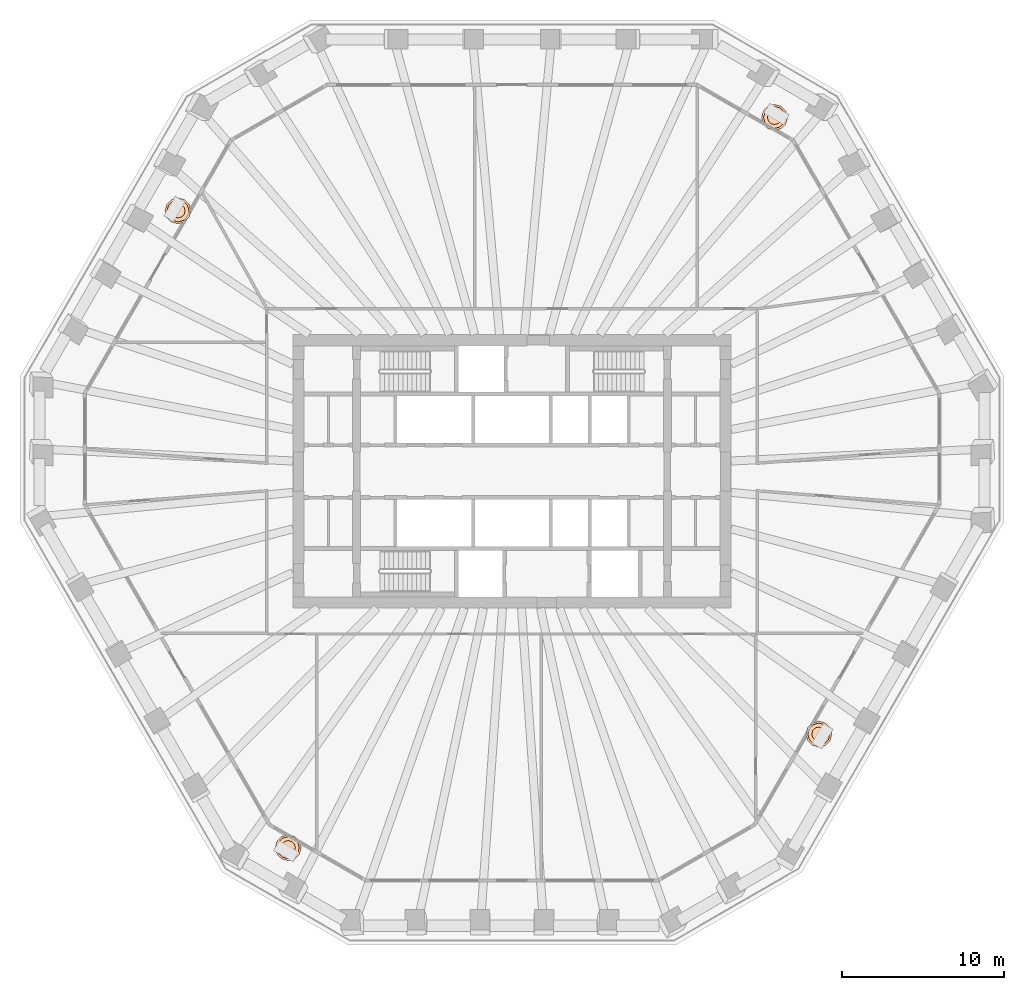
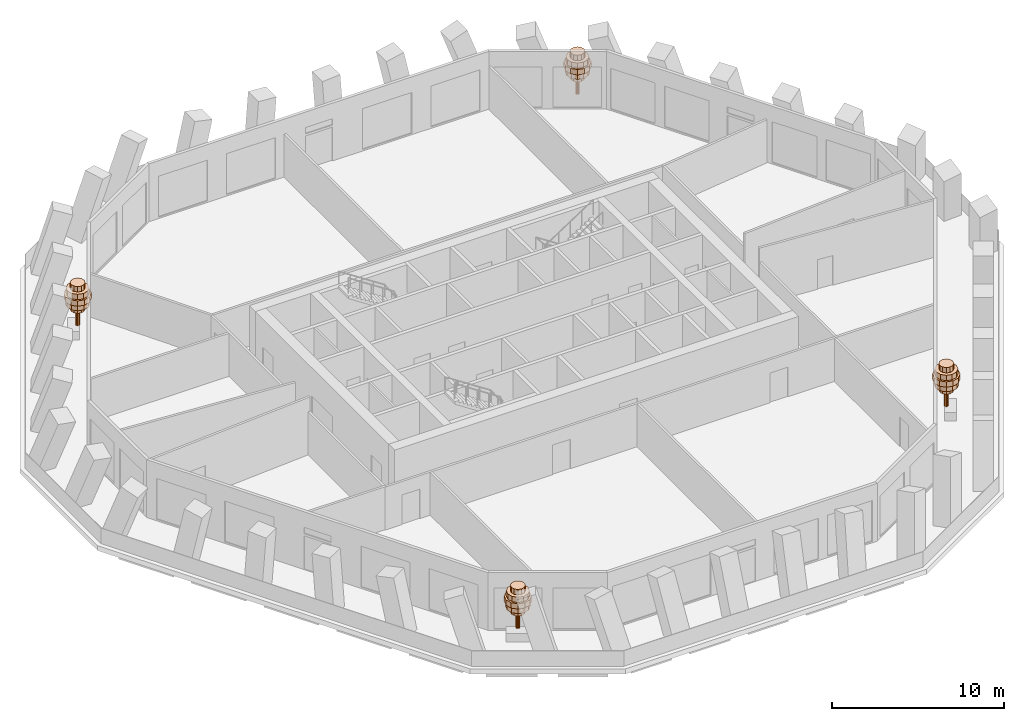
# One storey, part 11 of 11: 4 geographic elements.
"""IFC4 building model written with IfcOpenShell, lengths in metres."""

from ifc_helpers import new_model, si_unit, direction, frame, origin, place, context, subcontext, project, spatial, polyline, outline, extrude, material, type_object, element, save


model = new_model("IFC4")

# Units and contexts
model_context = context("Model", 3, precision=1e-05, world=origin(), true_north=direction((0.0, 1.0)))
body_context = subcontext(model_context, "Body", "Model", "MODEL_VIEW")
ifc_project = project(units=[si_unit("LENGTHUNIT", "METRE"), si_unit("AREAUNIT", "SQUARE_METRE"), si_unit("VOLUMEUNIT", "CUBIC_METRE"), si_unit("PLANEANGLEUNIT", "RADIAN"), si_unit("MASSUNIT", "GRAM", prefix="KILO")], contexts=[model_context])

# Site, building, storey
site_placement = place(None, origin())
site = spatial("IfcSite", under=ifc_project, at=site_placement, CompositionType="ELEMENT")
building_placement = place(site_placement, origin())
building = spatial("IfcBuilding", under=site, at=building_placement, Name="Frailejon Research Tower", CompositionType="ELEMENT")
storey_placement = place(building_placement, frame((0.0, 0.0, 198.0)))
storey = spatial("IfcBuildingStorey", under=building, at=storey_placement, Name="L43", CompositionType="ELEMENT", Elevation=198.0)

# Geographic elements
ifc_material = material(Name="Foliage, green")
geographic_element_type = type_object("IfcGeographicElementType", Name="Frailejon tree, loggia", PredefinedType="USERDEFINED", material=ifc_material)
geographic_element_1_placement = place(storey_placement, frame((16.22802734375, 21.878173828125, 0.60009765625)))
element("IfcGeographicElement", 1, at=geographic_element_1_placement, inside=storey, type_object=geographic_element_type, Name="Tree L43", ObjectType="TREE", PredefinedType="USERDEFINED", context=body_context, shape_type="SweptSolid", body=[
    extrude(outline(polyline([(0.1298828125, 0.0), (0.112548828125, 0.06494140625), (0.06494140625, 0.112548828125), (0.0, 0.1298828125), (-0.06494140625, 0.112548828125), (-0.112548828125, 0.06494140625), (-0.1298828125, 0.0), (-0.112548828125, -0.06494140625), (-0.06494140625, -0.112548828125), (0.0, -0.1298828125), (0.06494140625, -0.112548828125), (0.112548828125, -0.06494140625), (0.1298828125, 0.0)])), origin(), (0.0, 0.0, 1.0), 2.239990234375),
    extrude(outline(polyline([(0.43994140625, 0.0), (0.381103515625, 0.219970703125), (0.219970703125, 0.381103515625), (0.0, 0.43994140625), (-0.219970703125, 0.381103515625), (-0.381103515625, 0.219970703125), (-0.43994140625, 0.0), (-0.381103515625, -0.219970703125), (-0.219970703125, -0.381103515625), (0.0, -0.43994140625), (0.219970703125, -0.381103515625), (0.381103515625, -0.219970703125), (0.43994140625, 0.0)])), frame((0.0, 0.0, 1.10009765625)), (0.0, 0.0, 1.0), 0.3798828125),
    extrude(outline(polyline([(0.719970703125, 0.0), (0.62353515625, 0.360107421875), (0.360107421875, 0.62353515625), (0.0, 0.719970703125), (-0.360107421875, 0.62353515625), (-0.62353515625, 0.360107421875), (-0.719970703125, 0.0), (-0.62353515625, -0.360107421875), (-0.360107421875, -0.62353515625), (0.0, -0.719970703125), (0.360107421875, -0.62353515625), (0.62353515625, -0.360107421875), (0.719970703125, 0.0)])), frame((0.0, 0.0, 1.47998046875)), (0.0, 0.0, 1.0), 0.3798828125),
    extrude(outline(polyline([(0.800048828125, 0.0), (0.69287109375, 0.39990234375), (0.39990234375, 0.69287109375), (0.0, 0.800048828125), (-0.39990234375, 0.69287109375), (-0.69287109375, 0.39990234375), (-0.800048828125, 0.0), (-0.69287109375, -0.39990234375), (-0.39990234375, -0.69287109375), (0.0, -0.800048828125), (0.39990234375, -0.69287109375), (0.69287109375, -0.39990234375), (0.800048828125, 0.0)])), frame((0.0, 0.0, 1.860107421875)), (0.0, 0.0, 1.0), 0.3798828125),
    extrude(outline(polyline([(0.679931640625, 0.0), (0.5888671875, 0.340087890625), (0.340087890625, 0.5888671875), (0.0, 0.679931640625), (-0.340087890625, 0.5888671875), (-0.5888671875, 0.340087890625), (-0.679931640625, 0.0), (-0.5888671875, -0.340087890625), (-0.340087890625, -0.5888671875), (0.0, -0.679931640625), (0.340087890625, -0.5888671875), (0.5888671875, -0.340087890625), (0.679931640625, 0.0)])), frame((0.0, 0.0, 2.239990234375)), (0.0, 0.0, 1.0), 0.3798828125),
    extrude(outline(polyline([(0.43994140625, 0.0), (0.381103515625, 0.219970703125), (0.219970703125, 0.381103515625), (0.0, 0.43994140625), (-0.219970703125, 0.381103515625), (-0.381103515625, 0.219970703125), (-0.43994140625, 0.0), (-0.381103515625, -0.219970703125), (-0.219970703125, -0.381103515625), (0.0, -0.43994140625), (0.219970703125, -0.381103515625), (0.381103515625, -0.219970703125), (0.43994140625, 0.0)])), frame((0.0, 0.0, 2.6201171875)), (0.0, 0.0, 1.0), 0.3798828125),
])
geographic_element_2_placement = place(storey_placement, frame((-20.646728515625, 16.104248046875, 0.60009765625)))
element("IfcGeographicElement", 2, at=geographic_element_2_placement, inside=storey, type_object=geographic_element_type, Name="Tree L43", ObjectType="TREE", PredefinedType="USERDEFINED", context=body_context, shape_type="SweptSolid", body=[
    extrude(outline(polyline([(0.1298828125, 0.0), (0.112548828125, 0.06494140625), (0.06494140625, 0.112548828125), (0.0, 0.1298828125), (-0.06494140625, 0.112548828125), (-0.112548828125, 0.06494140625), (-0.1298828125, 0.0), (-0.112548828125, -0.06494140625), (-0.06494140625, -0.112548828125), (0.0, -0.1298828125), (0.06494140625, -0.112548828125), (0.112548828125, -0.06494140625), (0.1298828125, 0.0)])), origin(), (0.0, 0.0, 1.0), 2.239990234375),
    extrude(outline(polyline([(0.43994140625, 0.0), (0.381103515625, 0.219970703125), (0.219970703125, 0.381103515625), (0.0, 0.43994140625), (-0.219970703125, 0.381103515625), (-0.381103515625, 0.219970703125), (-0.43994140625, 0.0), (-0.381103515625, -0.219970703125), (-0.219970703125, -0.381103515625), (0.0, -0.43994140625), (0.219970703125, -0.381103515625), (0.381103515625, -0.219970703125), (0.43994140625, 0.0)])), frame((0.0, 0.0, 1.10009765625)), (0.0, 0.0, 1.0), 0.3798828125),
    extrude(outline(polyline([(0.719970703125, 0.0), (0.62353515625, 0.360107421875), (0.360107421875, 0.62353515625), (0.0, 0.719970703125), (-0.360107421875, 0.62353515625), (-0.62353515625, 0.360107421875), (-0.719970703125, 0.0), (-0.62353515625, -0.360107421875), (-0.360107421875, -0.62353515625), (0.0, -0.719970703125), (0.360107421875, -0.62353515625), (0.62353515625, -0.360107421875), (0.719970703125, 0.0)])), frame((0.0, 0.0, 1.47998046875)), (0.0, 0.0, 1.0), 0.3798828125),
    extrude(outline(polyline([(0.800048828125, 0.0), (0.69287109375, 0.39990234375), (0.39990234375, 0.69287109375), (0.0, 0.800048828125), (-0.39990234375, 0.69287109375), (-0.69287109375, 0.39990234375), (-0.800048828125, 0.0), (-0.69287109375, -0.39990234375), (-0.39990234375, -0.69287109375), (0.0, -0.800048828125), (0.39990234375, -0.69287109375), (0.69287109375, -0.39990234375), (0.800048828125, 0.0)])), frame((0.0, 0.0, 1.860107421875)), (0.0, 0.0, 1.0), 0.3798828125),
    extrude(outline(polyline([(0.679931640625, 0.0), (0.5888671875, 0.340087890625), (0.340087890625, 0.5888671875), (0.0, 0.679931640625), (-0.340087890625, 0.5888671875), (-0.5888671875, 0.340087890625), (-0.679931640625, 0.0), (-0.5888671875, -0.340087890625), (-0.340087890625, -0.5888671875), (0.0, -0.679931640625), (0.340087890625, -0.5888671875), (0.5888671875, -0.340087890625), (0.679931640625, 0.0)])), frame((0.0, 0.0, 2.239990234375)), (0.0, 0.0, 1.0), 0.3798828125),
    extrude(outline(polyline([(0.43994140625, 0.0), (0.381103515625, 0.219970703125), (0.219970703125, 0.381103515625), (0.0, 0.43994140625), (-0.219970703125, 0.381103515625), (-0.381103515625, 0.219970703125), (-0.43994140625, 0.0), (-0.381103515625, -0.219970703125), (-0.219970703125, -0.381103515625), (0.0, -0.43994140625), (0.219970703125, -0.381103515625), (0.381103515625, -0.219970703125), (0.43994140625, 0.0)])), frame((0.0, 0.0, 2.6201171875)), (0.0, 0.0, 1.0), 0.3798828125),
])
geographic_element_3_placement = place(storey_placement, frame((-13.8330078125, -23.260986328125, 0.60009765625)))
element("IfcGeographicElement", 3, at=geographic_element_3_placement, inside=storey, type_object=geographic_element_type, Name="Tree L43", ObjectType="TREE", PredefinedType="USERDEFINED", context=body_context, shape_type="SweptSolid", body=[
    extrude(outline(polyline([(0.1298828125, 0.0), (0.112548828125, 0.06494140625), (0.06494140625, 0.112548828125), (0.0, 0.1298828125), (-0.06494140625, 0.112548828125), (-0.112548828125, 0.06494140625), (-0.1298828125, 0.0), (-0.112548828125, -0.06494140625), (-0.06494140625, -0.112548828125), (0.0, -0.1298828125), (0.06494140625, -0.112548828125), (0.112548828125, -0.06494140625), (0.1298828125, 0.0)])), origin(), (0.0, 0.0, 1.0), 2.239990234375),
    extrude(outline(polyline([(0.43994140625, 0.0), (0.381103515625, 0.219970703125), (0.219970703125, 0.381103515625), (0.0, 0.43994140625), (-0.219970703125, 0.381103515625), (-0.381103515625, 0.219970703125), (-0.43994140625, 0.0), (-0.381103515625, -0.219970703125), (-0.219970703125, -0.381103515625), (0.0, -0.43994140625), (0.219970703125, -0.381103515625), (0.381103515625, -0.219970703125), (0.43994140625, 0.0)])), frame((0.0, 0.0, 1.10009765625)), (0.0, 0.0, 1.0), 0.3798828125),
    extrude(outline(polyline([(0.719970703125, 0.0), (0.62353515625, 0.360107421875), (0.360107421875, 0.62353515625), (0.0, 0.719970703125), (-0.360107421875, 0.62353515625), (-0.62353515625, 0.360107421875), (-0.719970703125, 0.0), (-0.62353515625, -0.360107421875), (-0.360107421875, -0.62353515625), (0.0, -0.719970703125), (0.360107421875, -0.62353515625), (0.62353515625, -0.360107421875), (0.719970703125, 0.0)])), frame((0.0, 0.0, 1.47998046875)), (0.0, 0.0, 1.0), 0.3798828125),
    extrude(outline(polyline([(0.800048828125, 0.0), (0.69287109375, 0.39990234375), (0.39990234375, 0.69287109375), (0.0, 0.800048828125), (-0.39990234375, 0.69287109375), (-0.69287109375, 0.39990234375), (-0.800048828125, 0.0), (-0.69287109375, -0.39990234375), (-0.39990234375, -0.69287109375), (0.0, -0.800048828125), (0.39990234375, -0.69287109375), (0.69287109375, -0.39990234375), (0.800048828125, 0.0)])), frame((0.0, 0.0, 1.860107421875)), (0.0, 0.0, 1.0), 0.3798828125),
    extrude(outline(polyline([(0.679931640625, 0.0), (0.5888671875, 0.340087890625), (0.340087890625, 0.5888671875), (0.0, 0.679931640625), (-0.340087890625, 0.5888671875), (-0.5888671875, 0.340087890625), (-0.679931640625, 0.0), (-0.5888671875, -0.340087890625), (-0.340087890625, -0.5888671875), (0.0, -0.679931640625), (0.340087890625, -0.5888671875), (0.5888671875, -0.340087890625), (0.679931640625, 0.0)])), frame((0.0, 0.0, 2.239990234375)), (0.0, 0.0, 1.0), 0.3798828125),
    extrude(outline(polyline([(0.43994140625, 0.0), (0.381103515625, 0.219970703125), (0.219970703125, 0.381103515625), (0.0, 0.43994140625), (-0.219970703125, 0.381103515625), (-0.381103515625, 0.219970703125), (-0.43994140625, 0.0), (-0.381103515625, -0.219970703125), (-0.219970703125, -0.381103515625), (0.0, -0.43994140625), (0.219970703125, -0.381103515625), (0.381103515625, -0.219970703125), (0.43994140625, 0.0)])), frame((0.0, 0.0, 2.6201171875)), (0.0, 0.0, 1.0), 0.3798828125),
])
geographic_element_4_placement = place(storey_placement, frame((18.97021484375, -16.242431640625, 0.60009765625)))
element("IfcGeographicElement", 4, at=geographic_element_4_placement, inside=storey, type_object=geographic_element_type, Name="Tree L43", ObjectType="TREE", PredefinedType="USERDEFINED", context=body_context, shape_type="SweptSolid", body=[
    extrude(outline(polyline([(0.1298828125, 0.0), (0.112548828125, 0.06494140625), (0.06494140625, 0.112548828125), (0.0, 0.1298828125), (-0.06494140625, 0.112548828125), (-0.112548828125, 0.06494140625), (-0.1298828125, 0.0), (-0.112548828125, -0.06494140625), (-0.06494140625, -0.112548828125), (0.0, -0.1298828125), (0.06494140625, -0.112548828125), (0.112548828125, -0.06494140625), (0.1298828125, 0.0)])), origin(), (0.0, 0.0, 1.0), 2.239990234375),
    extrude(outline(polyline([(0.43994140625, 0.0), (0.381103515625, 0.219970703125), (0.219970703125, 0.381103515625), (0.0, 0.43994140625), (-0.219970703125, 0.381103515625), (-0.381103515625, 0.219970703125), (-0.43994140625, 0.0), (-0.381103515625, -0.219970703125), (-0.219970703125, -0.381103515625), (0.0, -0.43994140625), (0.219970703125, -0.381103515625), (0.381103515625, -0.219970703125), (0.43994140625, 0.0)])), frame((0.0, 0.0, 1.10009765625)), (0.0, 0.0, 1.0), 0.3798828125),
    extrude(outline(polyline([(0.719970703125, 0.0), (0.62353515625, 0.360107421875), (0.360107421875, 0.62353515625), (0.0, 0.719970703125), (-0.360107421875, 0.62353515625), (-0.62353515625, 0.360107421875), (-0.719970703125, 0.0), (-0.62353515625, -0.360107421875), (-0.360107421875, -0.62353515625), (0.0, -0.719970703125), (0.360107421875, -0.62353515625), (0.62353515625, -0.360107421875), (0.719970703125, 0.0)])), frame((0.0, 0.0, 1.47998046875)), (0.0, 0.0, 1.0), 0.3798828125),
    extrude(outline(polyline([(0.800048828125, 0.0), (0.69287109375, 0.39990234375), (0.39990234375, 0.69287109375), (0.0, 0.800048828125), (-0.39990234375, 0.69287109375), (-0.69287109375, 0.39990234375), (-0.800048828125, 0.0), (-0.69287109375, -0.39990234375), (-0.39990234375, -0.69287109375), (0.0, -0.800048828125), (0.39990234375, -0.69287109375), (0.69287109375, -0.39990234375), (0.800048828125, 0.0)])), frame((0.0, 0.0, 1.860107421875)), (0.0, 0.0, 1.0), 0.3798828125),
    extrude(outline(polyline([(0.679931640625, 0.0), (0.5888671875, 0.340087890625), (0.340087890625, 0.5888671875), (0.0, 0.679931640625), (-0.340087890625, 0.5888671875), (-0.5888671875, 0.340087890625), (-0.679931640625, 0.0), (-0.5888671875, -0.340087890625), (-0.340087890625, -0.5888671875), (0.0, -0.679931640625), (0.340087890625, -0.5888671875), (0.5888671875, -0.340087890625), (0.679931640625, 0.0)])), frame((0.0, 0.0, 2.239990234375)), (0.0, 0.0, 1.0), 0.3798828125),
    extrude(outline(polyline([(0.43994140625, 0.0), (0.381103515625, 0.219970703125), (0.219970703125, 0.381103515625), (0.0, 0.43994140625), (-0.219970703125, 0.381103515625), (-0.381103515625, 0.219970703125), (-0.43994140625, 0.0), (-0.381103515625, -0.219970703125), (-0.219970703125, -0.381103515625), (0.0, -0.43994140625), (0.219970703125, -0.381103515625), (0.381103515625, -0.219970703125), (0.43994140625, 0.0)])), frame((0.0, 0.0, 2.6201171875)), (0.0, 0.0, 1.0), 0.3798828125),
])

save(model, "model.ifc")
